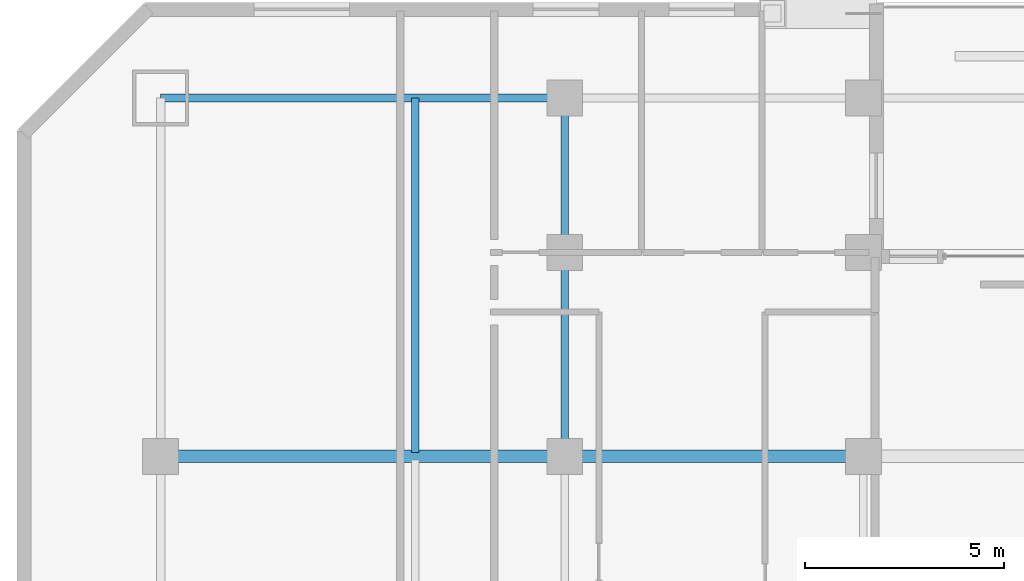
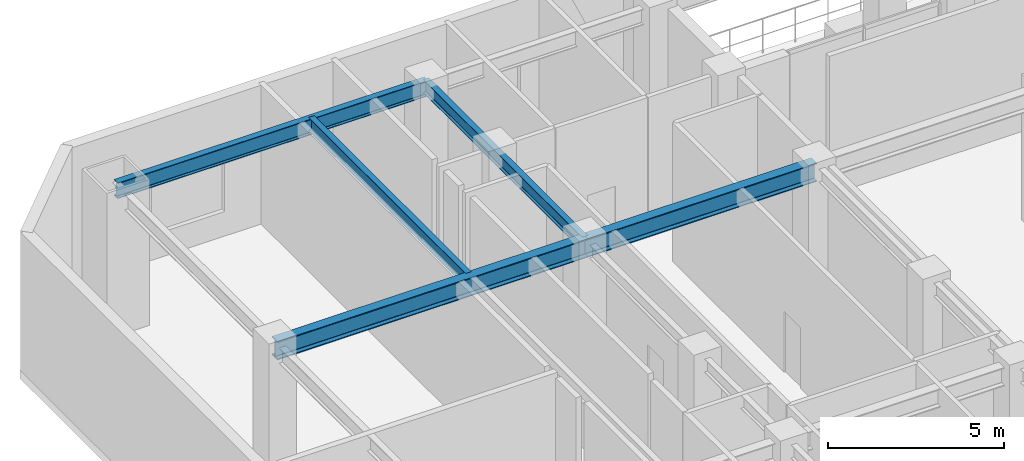
# One storey, part 2 of 12: 5 beams.
"""IFC4 building model written with IfcOpenShell, lengths in metres."""

import ifcopenshell
import ifcopenshell.guid

model = None  # the IFC model being written
_history = None  # IfcOwnerHistory: only IFC2X3 demands one
_inside = {}  # id of a spatial element -> (the spatial element, [elements in it])
_under = {}  # id of a project, library or spatial element -> (it, [spatial elements below it])
_declared = {}  # id of a project -> (the project, [libraries it declares])
_typed = {}  # id of a type object -> (the type object, [elements of that type])
_made_of = {}  # id of a material, layer set ... -> (it, [elements and type objects made of it])


def new_model(schema):
    """Start an empty IFC model of exactly this schema.

    Asked for "IFC4X3", IfcOpenShell would pick the latest addendum, in which some entities
    have other attributes; the version numbers below select the first issue.
    IFC2X3 requires an IfcOwnerHistory on every rooted entity: one is made here for all.
    """
    global model, _history
    if schema == "IFC4X3":
        model = ifcopenshell.file(schema_version=(4, 3, 0, 0))
    else:
        model = ifcopenshell.file(schema=schema)
    _inside.clear()
    _under.clear()
    _declared.clear()
    _typed.clear()
    _made_of.clear()
    _history = None
    if model.schema == "IFC2X3":
        org = make("IfcOrganization", Name="unknown")
        user = make(
            "IfcPersonAndOrganization",
            ThePerson=make("IfcPerson", FamilyName="unknown"),
            TheOrganization=org,
        )
        app = make(
            "IfcApplication",
            ApplicationDeveloper=org,
            Version="unknown",
            ApplicationFullName="unknown",
            ApplicationIdentifier="unknown",
        )
        _history = make(
            "IfcOwnerHistory",
            OwningUser=user,
            OwningApplication=app,
            ChangeAction="ADDED",
            CreationDate=0,
        )
    return model


def make(cls, **values):
    """One entity of the class cls with the attributes given. An attribute that is None is left unset."""
    return model.create_entity(
        cls, **{name: value for name, value in values.items() if value is not None}
    )


def rooted(cls, **values):
    """An entity with a GlobalId (a new one), such as an element, a storey or a relation."""
    return make(cls, GlobalId=ifcopenshell.guid.new(), OwnerHistory=_history, **values)


def si_unit(unit_type, name, prefix=None):
    """IfcSIUnit, for example si_unit("LENGTHUNIT", "METRE", prefix="MILLI")."""
    return make("IfcSIUnit", UnitType=unit_type, Prefix=prefix, Name=name)


def assignment(units):
    """IfcUnitAssignment: the units of a project."""
    return None if units is None else make("IfcUnitAssignment", Units=units)


def point(xyz):
    """IfcCartesianPoint."""
    return None if xyz is None else make("IfcCartesianPoint", Coordinates=xyz)


def direction(xyz):
    """IfcDirection."""
    return None if xyz is None else make("IfcDirection", DirectionRatios=xyz)


def frame(location, z_axis=None, x_axis=None):
    """IfcAxis2Placement3D, a coordinate frame: its origin and axes. An axis left out is left unset."""
    return make(
        "IfcAxis2Placement3D",
        Location=point(location),
        Axis=direction(z_axis),
        RefDirection=direction(x_axis),
    )


def frame_2d(location, x_axis=None):
    """IfcAxis2Placement2D, a coordinate frame in the plane: its origin and x axis."""
    return make(
        "IfcAxis2Placement2D", Location=point(location), RefDirection=direction(x_axis)
    )


def origin():
    """The frame at (0, 0, 0) with its axes left unset."""
    return frame((0.0, 0.0, 0.0))


def origin_2d():
    """The frame at (0, 0) in the plane with its x axis left unset."""
    return frame_2d((0.0, 0.0))


def place(relative_to, where):
    """IfcLocalPlacement: puts the frame where relative to a parent placement (None: the world)."""
    return make(
        "IfcLocalPlacement", PlacementRelTo=relative_to, RelativePlacement=where
    )


def context(
    kind, dimensions, precision=None, world=None, true_north=None, identifier=None
):
    """IfcGeometricRepresentationContext, for example the 3D "Model" context."""
    return make(
        "IfcGeometricRepresentationContext",
        ContextIdentifier=identifier,
        ContextType=kind,
        CoordinateSpaceDimension=dimensions,
        Precision=precision,
        WorldCoordinateSystem=world,
        TrueNorth=true_north,
    )


def subcontext(parent, identifier, kind, view, scale=None):
    """IfcGeometricRepresentationSubContext, for example "Body" below "Model"."""
    return make(
        "IfcGeometricRepresentationSubContext",
        ContextIdentifier=identifier,
        ContextType=kind,
        ParentContext=parent,
        TargetScale=scale,
        TargetView=view,
    )


def project(units=None, contexts=None):
    """IfcProject with its units and contexts."""
    return rooted(
        "IfcProject",
        Name="project",
        RepresentationContexts=contexts,
        UnitsInContext=assignment(units),
    )


def spatial(cls, under=None, at=None, **own):
    """A site, building, storey or space (cls), placed at a placement, below another one or the project."""
    s = rooted(cls, ObjectPlacement=at, **own)
    if under is not None:
        _under.setdefault(under.id(), (under, []))[1].append(s)
    return s


def profile(cls, at=None, kind="AREA", **sizes):
    """A parametric profile (cls). Its sizes go by their IFC names, for example OverallWidth=200.0."""
    return make(cls, ProfileType=kind, Position=at, **sizes)


def i_section(**sizes):
    """IfcIShapeProfileDef."""
    return profile("IfcIShapeProfileDef", **sizes)


def extrude(swept, where, along, depth):
    """IfcExtrudedAreaSolid: the profile swept, set in the frame where, extruded along a direction by depth."""
    return make(
        "IfcExtrudedAreaSolid",
        SweptArea=swept,
        Position=where,
        ExtrudedDirection=direction(along),
        Depth=depth,
    )


def shape(context_of_items, identifier, shape_type, items):
    """IfcShapeRepresentation: the items that make up one representation, for example the "Body"."""
    return make(
        "IfcShapeRepresentation",
        ContextOfItems=context_of_items,
        RepresentationIdentifier=identifier,
        RepresentationType=shape_type,
        Items=items,
    )


def material(Name=None, Category=None):
    """IfcMaterial."""
    return make("IfcMaterial", Name=Name, Category=Category)


def material_profile(
    of_material, cross_section, Name=None, Category=None, Priority=None
):
    """IfcMaterialProfile: a cross section and its material."""
    return make(
        "IfcMaterialProfile",
        Name=Name,
        Material=of_material,
        Profile=cross_section,
        Priority=Priority,
        Category=Category,
    )


def profile_set(profiles, Name=None, composite=None):
    """IfcMaterialProfileSet."""
    return make(
        "IfcMaterialProfileSet",
        Name=Name,
        MaterialProfiles=profiles,
        CompositeProfile=composite,
    )


def made_of(thing, what):
    """Note that an element or type object is made of a material, layer set ...; save() writes the relation."""
    if what is not None:
        _made_of.setdefault(what.id(), (what, []))[1].append(thing)
    return thing


def type_object(cls, material=None, **own):
    """A type object (cls), such as IfcWallType, which elements share."""
    return made_of(rooted(cls, **own), material)


def element(
    cls,
    number,
    at=None,
    inside=None,
    cuts=None,
    type_object=None,
    material=None,
    context=None,
    identifier="Body",
    shape_type=None,
    held_by="IfcProductDefinitionShape",
    body=None,
    shapes=None,
    **own,
):
    """One element of the class cls, such as IfcWall. Its Tag is "e" and its number.

    at: its placement. inside: the storey or other place that contains it. cuts: it is an
    opening in that element (IfcRelVoidsElement). A single representation is given by context,
    identifier, shape_type and body (its items); several are given by shapes. held_by: the class
    of the entity that holds the representations. save() writes the other relations.
    """
    e = rooted(cls, Tag="e%d" % number, ObjectPlacement=at, **own)
    if body is not None:
        shapes = [shape(context, identifier, shape_type, body)]
    if shapes is not None:
        e.Representation = make(held_by, Representations=shapes)
    if inside is not None:
        _inside.setdefault(inside.id(), (inside, []))[1].append(e)
    if cuts is not None:
        rooted(
            "IfcRelVoidsElement", RelatingBuildingElement=cuts, RelatedOpeningElement=e
        )
    if type_object is not None:
        _typed.setdefault(type_object.id(), (type_object, []))[1].append(e)
    return made_of(e, material)


def aggregate(whole, parts):
    """IfcRelAggregates: a whole, such as a stair, and the parts it consists of."""
    return rooted("IfcRelAggregates", RelatingObject=whole, RelatedObjects=parts)


def save(model, path):
    """Write the relations noted so far, then the file.

    IfcRelAggregates (storeys below a building ...), IfcRelContainedInSpatialStructure (elements
    in a storey), IfcRelDefinesByType, IfcRelAssociatesMaterial and IfcRelDeclares: one each for
    every whole, place, type object, material and project.
    """
    for whole, parts in _under.values():
        aggregate(whole, parts)
    for where, things in _inside.values():
        rooted(
            "IfcRelContainedInSpatialStructure",
            RelatedElements=things,
            RelatingStructure=where,
        )
    for kind, things in _typed.values():
        rooted("IfcRelDefinesByType", RelatedObjects=things, RelatingType=kind)
    for what, things in _made_of.values():
        rooted("IfcRelAssociatesMaterial", RelatedObjects=things, RelatingMaterial=what)
    for by, libraries in _declared.values():
        rooted("IfcRelDeclares", RelatingContext=by, RelatedDefinitions=libraries)
    model.write(path)


model = new_model("IFC4")

# Units and contexts
model_context = context("Model", 3, precision=1e-05, world=origin(), true_north=direction((0.0, 1.0)))
body_context = subcontext(model_context, "Body", "Model", "MODEL_VIEW")
ifc_project = project(units=[si_unit("LENGTHUNIT", "METRE"), si_unit("AREAUNIT", "SQUARE_METRE"), si_unit("VOLUMEUNIT", "CUBIC_METRE"), si_unit("PLANEANGLEUNIT", "RADIAN"), si_unit("MASSUNIT", "GRAM", prefix="KILO")], contexts=[model_context])

# Site, building, storey
site_placement = place(None, origin())
site = spatial("IfcSite", under=ifc_project, at=site_placement, CompositionType="ELEMENT")
building_placement = place(site_placement, origin())
building = spatial("IfcBuilding", under=site, at=building_placement, Name="Ventersveld Concourse Tower", CompositionType="ELEMENT")
storey_placement = place(building_placement, frame((0.0, 0.0, 76.0)))
storey = spatial("IfcBuildingStorey", under=building, at=storey_placement, Name="L18", CompositionType="ELEMENT", Elevation=76.0)

# Beams
ifc_material = material(Name="Structural steel S355J2", Category="steel")
ifc_material_profile_1 = material_profile(ifc_material, i_section(OverallWidth=0.19140625, OverallDepth=0.4599609375, WebThickness=0.010009765625, FlangeThickness=0.01611328125, FilletRadius=0.01025390625, at=origin_2d()), Name="UB 457x191x82")
ifc_profile_set_1 = profile_set([ifc_material_profile_1], Name="Structural steel S355J2")
beam_type_1 = type_object("IfcBeamType", Name="BM-UB457H", PredefinedType="BEAM", material=ifc_profile_set_1)
beam_1_placement = place(storey_placement, frame((10.0, 35.094970703125, 4.570068359375), z_axis=(0.0, 1.0, 0.0), x_axis=(-1.0, 0.0, 0.0)))
element("IfcBeam", 1, at=beam_1_placement, inside=storey, type_object=beam_type_1, Name="L18 N-S Composite Floor Beam North X=10.00", PredefinedType="BEAM", context=body_context, shape_type="SweptSolid", body=[
    extrude(i_section(OverallWidth=0.19140625, OverallDepth=0.4599609375, WebThickness=0.010009765625, FlangeThickness=0.01611328125, FilletRadius=0.01025390625, at=origin_2d()), origin(), (0.0, 0.0, 1.0), 8.905029296875),
])
beam_2_placement = place(storey_placement, frame((13.75, 35.0, 4.570068359375), z_axis=(0.0, 1.0, 0.0), x_axis=(-1.0, 0.0, 0.0)))
element("IfcBeam", 2, at=beam_2_placement, inside=storey, type_object=beam_type_1, Name="L18 N-S Composite Floor Beam North X=13.75", PredefinedType="BEAM", context=body_context, shape_type="SweptSolid", body=[
    extrude(i_section(OverallWidth=0.19140625, OverallDepth=0.4599609375, WebThickness=0.010009765625, FlangeThickness=0.01611328125, FilletRadius=0.01025390625, at=origin_2d()), origin(), (0.0, 0.0, 1.0), 9.0),
])
ifc_material_profile_2 = material_profile(ifc_material, i_section(OverallWidth=0.311279296875, OverallDepth=0.6357421875, WebThickness=0.018310546875, FlangeThickness=0.031494140625, FilletRadius=0.0166015625, at=origin_2d()), Name="UB 610x305x238")
ifc_profile_set_2 = profile_set([ifc_material_profile_2], Name="Structural steel S355J2")
beam_type_2 = type_object("IfcBeamType", Name="GRD-UB610H", PredefinedType="USERDEFINED", material=ifc_profile_set_2)
beam_3_placement = place(storey_placement, frame((3.60009765625, 35.0, 4.482177734375), z_axis=(1.0, 0.0, 0.0), x_axis=(0.0, 1.0, 0.0)))
element("IfcBeam", 3, at=beam_3_placement, inside=storey, type_object=beam_type_2, Name="L18 E-W Grid Girder Y=35.00 #1", ObjectType="GIRDER", PredefinedType="USERDEFINED", context=body_context, shape_type="SweptSolid", body=[
    extrude(i_section(OverallWidth=0.311279296875, OverallDepth=0.6357421875, WebThickness=0.018310546875, FlangeThickness=0.031494140625, FilletRadius=0.0166015625, at=origin_2d()), origin(), (0.0, 0.0, 1.0), 10.14990234375),
])
beam_4_placement = place(storey_placement, frame((13.75, 35.0, 4.482177734375), z_axis=(1.0, 0.0, 0.0), x_axis=(0.0, 1.0, 0.0)))
element("IfcBeam", 4, at=beam_4_placement, inside=storey, type_object=beam_type_2, Name="L18 E-W Grid Girder Y=35.00 #2", ObjectType="GIRDER", PredefinedType="USERDEFINED", context=body_context, shape_type="SweptSolid", body=[
    extrude(i_section(OverallWidth=0.311279296875, OverallDepth=0.6357421875, WebThickness=0.018310546875, FlangeThickness=0.031494140625, FilletRadius=0.0166015625, at=origin_2d()), origin(), (0.0, 0.0, 1.0), 7.5),
])
ifc_material_profile_3 = material_profile(ifc_material, i_section(OverallWidth=0.2119140625, OverallDepth=0.54443359375, WebThickness=0.0126953125, FlangeThickness=0.021240234375, FilletRadius=0.0126953125, at=origin_2d()), Name="UB 533x210x122")
ifc_profile_set_3 = profile_set([ifc_material_profile_3], Name="Structural steel S355J2")
beam_type_3 = type_object("IfcBeamType", Name="SPD-UB533", PredefinedType="SPANDREL", material=ifc_profile_set_3)
beam_5_placement = place(storey_placement, frame((3.60009765625, 44.0, 4.527587890625), z_axis=(1.0, 0.0, 0.0), x_axis=(0.0, 1.0, 0.0)))
element("IfcBeam", 5, at=beam_5_placement, inside=storey, type_object=beam_type_3, Name="L18 North Spandrel Girder Y=44.00 #1", PredefinedType="SPANDREL", context=body_context, shape_type="SweptSolid", body=[
    extrude(i_section(OverallWidth=0.2119140625, OverallDepth=0.54443359375, WebThickness=0.0126953125, FlangeThickness=0.021240234375, FilletRadius=0.0126953125, at=origin_2d()), origin(), (0.0, 0.0, 1.0), 10.14990234375),
])

save(model, "model.ifc")
